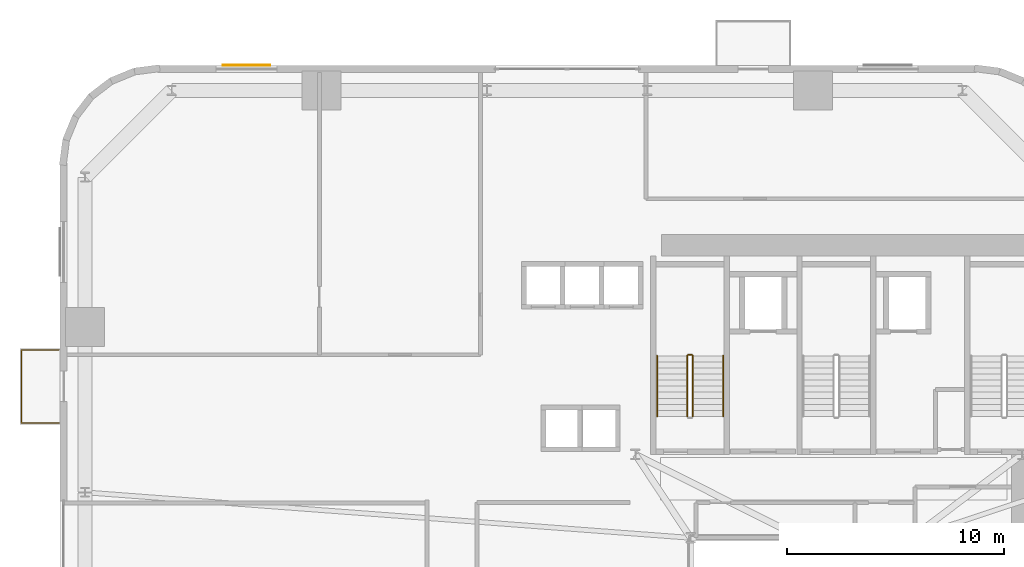
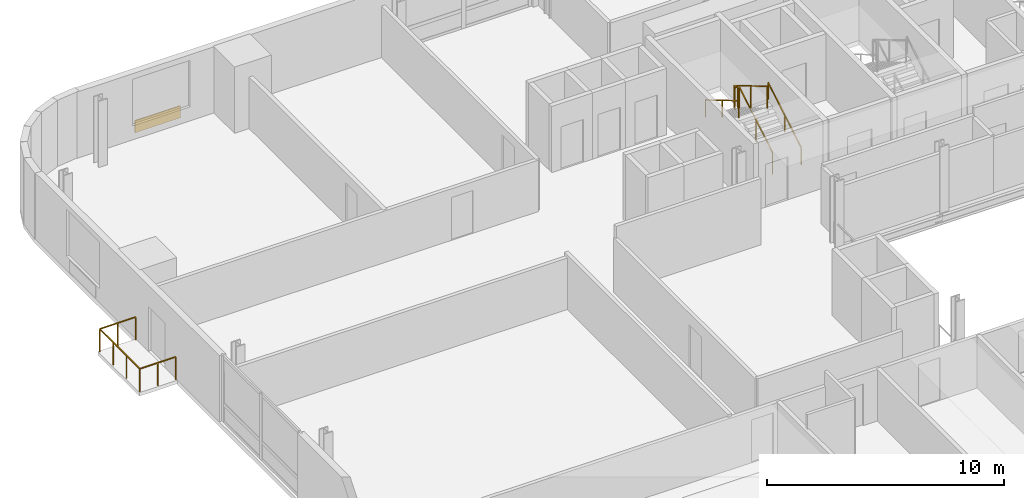
# One storey, part 12 of 13: 6 railings, 1 covering.
"""IFC4 building model written with IfcOpenShell, lengths in metres."""

from ifc_helpers import new_model, si_unit, direction, frame, origin, origin_2d, place, context, subcontext, project, spatial, rectangle, extrude, source, transform, mapped, material, layer, layer_set, type_object, element, save


model = new_model("IFC4")

# Units and contexts
model_context = context("Model", 3, precision=1e-05, world=origin(), true_north=direction((0.0, 1.0)))
body_context = subcontext(model_context, "Body", "Model", "MODEL_VIEW")
ifc_project = project(units=[si_unit("LENGTHUNIT", "METRE"), si_unit("AREAUNIT", "SQUARE_METRE"), si_unit("VOLUMEUNIT", "CUBIC_METRE"), si_unit("PLANEANGLEUNIT", "RADIAN"), si_unit("MASSUNIT", "GRAM", prefix="KILO")], contexts=[model_context])

# Site, building, storey
site_placement = place(None, origin())
site = spatial("IfcSite", under=ifc_project, at=site_placement, CompositionType="ELEMENT")
building_placement = place(site_placement, origin())
building = spatial("IfcBuilding", under=site, at=building_placement, Name="Vardaveli Station Tower", CompositionType="ELEMENT")
storey_placement = place(building_placement, frame((0.0, 0.0, 49.5)))
storey = spatial("IfcBuildingStorey", under=building, at=storey_placement, Name="L12", CompositionType="ELEMENT", Elevation=49.5)

# Covering
ifc_material_1 = material(Name="Ventilated honed travertine stone cladding", Category="masonry")
ifc_layer = layer(ifc_material_1, 0.044921875, Name="Ventilated honed travertine stone cladding")
ifc_layer_set = layer_set([ifc_layer], Name="Ventilated honed travertine stone cladding")
covering_type = type_object("IfcCoveringType", Name="COV-CLAD-TR45", PredefinedType="CLADDING", material=ifc_layer_set)
shared_shape_1 = source(origin(), body_context, "Body", "SweptSolid", [
    extrude(rectangle(XDim=2.199951171875, YDim=0.044921875, at=origin_2d()), origin(), (0.0, 0.0, 1.0), 0.6201171875),
])
covering_placement = place(storey_placement, frame((10.705078125, 48.614501953125, 0.06982421875), z_axis=(0.0, 0.0, 1.0), x_axis=(1.0, 0.0, 0.0)))
element("IfcCovering", 1, at=covering_placement, inside=storey, type_object=covering_type, Name="CLD-TR-L12-N", PredefinedType="CLADDING", context=body_context, shape_type="MappedRepresentation", body=[
    mapped(shared_shape_1, transform((0.0, 0.0, 0.0), scale=1.0)),
])

# Railings
ifc_material_2 = material(Name="Laminated glass and stainless steel balustrade", Category="steel")
railing_type_1 = type_object("IfcRailingType", Name="RL-BAL-1200", PredefinedType="BALUSTRADE", material=ifc_material_2)
shared_shape_2 = source(origin(), body_context, "Body", "SweptSolid", [
    extrude(rectangle(XDim=0.048095703125, YDim=0.048095703125, at=origin_2d()), frame((0.0, 0.0, 1.17578125), z_axis=(-1.0, 0.0, 0.0), x_axis=(0.0, -1.0, 0.0)), (0.0, 0.0, 1.0), 1.75),
    extrude(rectangle(XDim=0.048095703125, YDim=0.048095703125, at=origin_2d()), frame((-1.75, 0.0, 1.17578125), z_axis=(0.0, 1.0, 0.0), x_axis=(-1.0, 0.0, 0.0)), (0.0, 0.0, 1.0), 3.3798828125),
    extrude(rectangle(XDim=0.048095703125, YDim=0.048095703125, at=origin_2d()), frame((-1.75, 3.3798828125, 1.17578125), z_axis=(1.0, 0.0, 0.0), x_axis=(0.0, 1.0, 0.0)), (0.0, 0.0, 1.0), 1.75),
    extrude(rectangle(XDim=0.0419921875, YDim=0.0419921875, at=origin_2d()), origin(), (0.0, 0.0, 1.0), 1.15185546875),
    extrude(rectangle(XDim=0.0419921875, YDim=0.0419921875, at=origin_2d()), frame((-0.875, 0.0, 0.0)), (0.0, 0.0, 1.0), 1.15185546875),
    extrude(rectangle(XDim=0.0419921875, YDim=0.0419921875, at=origin_2d()), frame((-1.75, 0.0, 0.0)), (0.0, 0.0, 1.0), 1.15185546875),
    extrude(rectangle(XDim=0.0419921875, YDim=0.0419921875, at=origin_2d()), frame((-1.75, 1.126708984375, 0.0)), (0.0, 0.0, 1.0), 1.15185546875),
    extrude(rectangle(XDim=0.0419921875, YDim=0.0419921875, at=origin_2d()), frame((-1.75, 2.253173828125, 0.0)), (0.0, 0.0, 1.0), 1.15185546875),
    extrude(rectangle(XDim=0.0419921875, YDim=0.0419921875, at=origin_2d()), frame((-1.75, 3.3798828125, 0.0)), (0.0, 0.0, 1.0), 1.15185546875),
    extrude(rectangle(XDim=0.0419921875, YDim=0.0419921875, at=origin_2d()), frame((-0.875, 3.3798828125, 0.0)), (0.0, 0.0, 1.0), 1.15185546875),
    extrude(rectangle(XDim=0.0419921875, YDim=0.0419921875, at=origin_2d()), frame((0.0, 3.3798828125, 0.0)), (0.0, 0.0, 1.0), 1.15185546875),
])
railing_1_placement = place(storey_placement, frame((2.06005859375, 32.099609375, 0.0)))
element("IfcRailing", 2, at=railing_1_placement, inside=storey, type_object=railing_type_1, Name="RL-LOG-L12-03", PredefinedType="BALUSTRADE", context=body_context, shape_type="MappedRepresentation", body=[
    mapped(shared_shape_2, transform((0.0, 0.0, 0.0), scale=1.0)),
])
ifc_material_3 = material(Name="Brushed AISI 316 stainless steel", Category="steel")
railing_type_2 = type_object("IfcRailingType", Name="RL-GUARD-1150", PredefinedType="GUARDRAIL", material=ifc_material_3)
shared_shape_3 = source(origin(), body_context, "Body", "SweptSolid", [
    extrude(rectangle(XDim=0.048095703125, YDim=0.048095703125, at=origin_2d()), frame((0.0, 0.0, 1.1259765625), z_axis=(-1.0, 0.0, 0.0), x_axis=(0.0, -1.0, 0.0)), (0.0, 0.0, 1.0), 0.14990234375),
    extrude(rectangle(XDim=0.0419921875, YDim=0.0419921875, at=origin_2d()), origin(), (0.0, 0.0, 1.0), 1.101806640625),
    extrude(rectangle(XDim=0.0419921875, YDim=0.0419921875, at=origin_2d()), frame((-0.14990234375, 0.0, 0.0)), (0.0, 0.0, 1.0), 1.101806640625),
])
railing_2_placement = place(storey_placement, frame((31.25, 35.25, 1.824951171875)))
element("IfcRailing", 3, at=railing_2_placement, inside=storey, type_object=railing_type_2, Name="L12 ST-1 stair guard 2", PredefinedType="GUARDRAIL", context=body_context, shape_type="MappedRepresentation", body=[
    mapped(shared_shape_3, transform((0.0, 0.0, 0.0), scale=1.0)),
])
shared_shape_4 = source(origin(), body_context, "Body", "SweptSolid", [
    extrude(rectangle(XDim=0.048095703125, YDim=0.048095703125, at=origin_2d()), frame((0.0, 0.0, 1.1259765625), z_axis=(0.0, 0.860339051648, 0.50972219513), x_axis=(-1.0, 0.0, 0.0)), (0.0, 0.0, 1.0), 3.254638671875),
    extrude(rectangle(XDim=0.0419921875, YDim=0.0419921875, at=origin_2d()), origin(), (0.0, 0.0, 1.0), 1.101806640625),
    extrude(rectangle(XDim=0.0419921875, YDim=0.0419921875, at=origin_2d()), frame((0.0, 1.39990234375, 0.82958984375)), (0.0, 0.0, 1.0), 1.101806640625),
    extrude(rectangle(XDim=0.0419921875, YDim=0.0419921875, at=origin_2d()), frame((0.0, 2.800048828125, 1.658935546875)), (0.0, 0.0, 1.0), 1.101806640625),
])
railing_3_placement = place(storey_placement, frame((31.300048828125, 32.39990234375, 0.166015625)))
element("IfcRailing", 4, at=railing_3_placement, inside=storey, type_object=railing_type_2, Name="L12 ST-1 stair guard 1", PredefinedType="GUARDRAIL", context=body_context, shape_type="MappedRepresentation", body=[
    mapped(shared_shape_4, transform((0.0, 0.0, 0.0), scale=1.0)),
])
shared_shape_5 = source(origin(), body_context, "Body", "SweptSolid", [
    extrude(rectangle(XDim=0.048095703125, YDim=0.048095703125, at=origin_2d()), frame((0.0, 0.0, 1.1259765625), z_axis=(0.0, -0.860339051648, 0.50972219513), x_axis=(1.0, 0.0, 0.0)), (0.0, 0.0, 1.0), 3.254638671875),
    extrude(rectangle(XDim=0.0419921875, YDim=0.0419921875, at=origin_2d()), origin(), (0.0, 0.0, 1.0), 1.101806640625),
    extrude(rectangle(XDim=0.0419921875, YDim=0.0419921875, at=origin_2d()), frame((0.0, -1.39990234375, 0.82958984375)), (0.0, 0.0, 1.0), 1.101806640625),
    extrude(rectangle(XDim=0.0419921875, YDim=0.0419921875, at=origin_2d()), frame((0.0, -2.800048828125, 1.658935546875)), (0.0, 0.0, 1.0), 1.101806640625),
])
railing_4_placement = place(storey_placement, frame((31.050048828125, 35.199951171875, 1.990966796875)))
element("IfcRailing", 5, at=railing_4_placement, inside=storey, type_object=railing_type_2, Name="L12 ST-1 stair guard 3", PredefinedType="GUARDRAIL", context=body_context, shape_type="MappedRepresentation", body=[
    mapped(shared_shape_5, transform((0.0, 0.0, 0.0), scale=1.0)),
])
railing_type_3 = type_object("IfcRailingType", Name="RL-HAND-900", PredefinedType="HANDRAIL", material=ifc_material_3)
shared_shape_6 = source(origin(), body_context, "Body", "SweptSolid", [
    extrude(rectangle(XDim=0.048095703125, YDim=0.048095703125, at=origin_2d()), frame((0.0, 0.0, 0.8759765625), z_axis=(0.0, 0.860339051648, 0.50972219513), x_axis=(-1.0, 0.0, 0.0)), (0.0, 0.0, 1.0), 3.254638671875),
    extrude(rectangle(XDim=0.0419921875, YDim=0.0419921875, at=origin_2d()), origin(), (0.0, 0.0, 1.0), 0.851806640625),
    extrude(rectangle(XDim=0.0419921875, YDim=0.0419921875, at=origin_2d()), frame((0.0, 1.39990234375, 0.82958984375)), (0.0, 0.0, 1.0), 0.851806640625),
    extrude(rectangle(XDim=0.0419921875, YDim=0.0419921875, at=origin_2d()), frame((0.0, 2.800048828125, 1.658935546875)), (0.0, 0.0, 1.0), 0.851806640625),
])
railing_5_placement = place(storey_placement, frame((32.699951171875, 32.39990234375, 0.166015625)))
element("IfcRailing", 6, at=railing_5_placement, inside=storey, type_object=railing_type_3, Name="L12 ST-1 stair handrail 1", PredefinedType="HANDRAIL", context=body_context, shape_type="MappedRepresentation", body=[
    mapped(shared_shape_6, transform((0.0, 0.0, 0.0), scale=1.0)),
])
shared_shape_7 = source(origin(), body_context, "Body", "SweptSolid", [
    extrude(rectangle(XDim=0.048095703125, YDim=0.048095703125, at=origin_2d()), frame((0.0, 0.0, 0.8759765625), z_axis=(0.0, -0.860339051648, 0.50972219513), x_axis=(1.0, 0.0, 0.0)), (0.0, 0.0, 1.0), 3.254638671875),
    extrude(rectangle(XDim=0.0419921875, YDim=0.0419921875, at=origin_2d()), origin(), (0.0, 0.0, 1.0), 0.851806640625),
    extrude(rectangle(XDim=0.0419921875, YDim=0.0419921875, at=origin_2d()), frame((0.0, -1.39990234375, 0.82958984375)), (0.0, 0.0, 1.0), 0.851806640625),
    extrude(rectangle(XDim=0.0419921875, YDim=0.0419921875, at=origin_2d()), frame((0.0, -2.800048828125, 1.658935546875)), (0.0, 0.0, 1.0), 0.851806640625),
])
railing_6_placement = place(storey_placement, frame((29.64990234375, 35.199951171875, 1.990966796875)))
element("IfcRailing", 7, at=railing_6_placement, inside=storey, type_object=railing_type_3, Name="L12 ST-1 stair handrail 2", PredefinedType="HANDRAIL", context=body_context, shape_type="MappedRepresentation", body=[
    mapped(shared_shape_7, transform((0.0, 0.0, 0.0), scale=1.0)),
])

save(model, "model.ifc")
